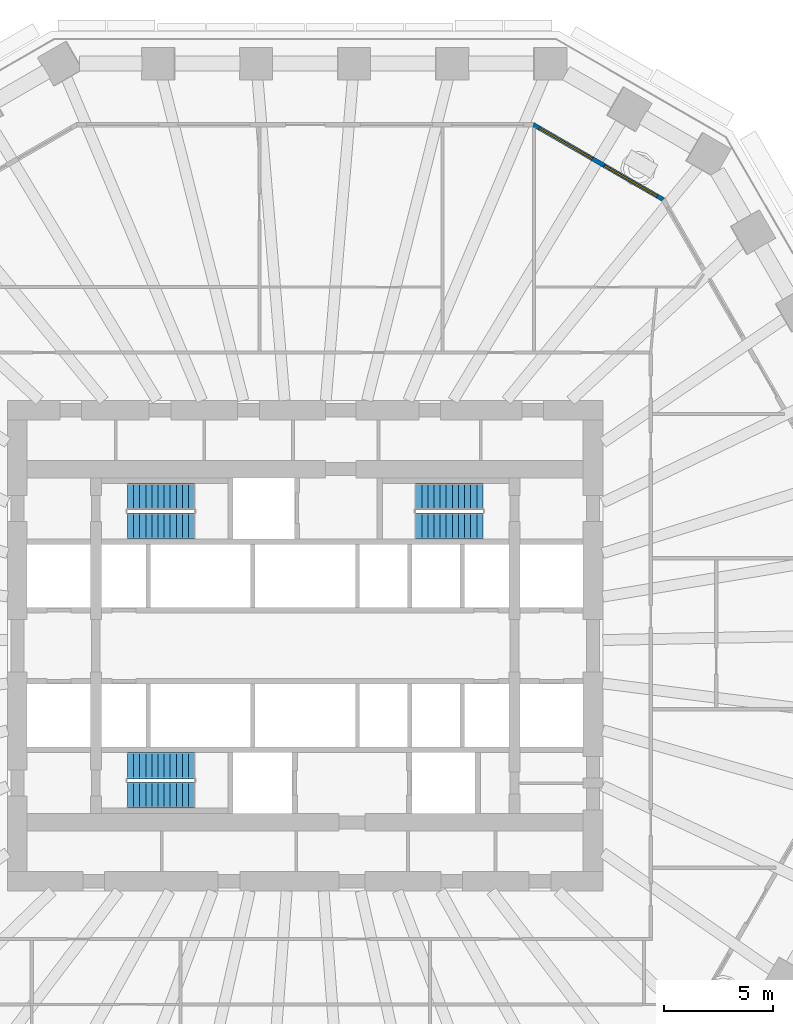
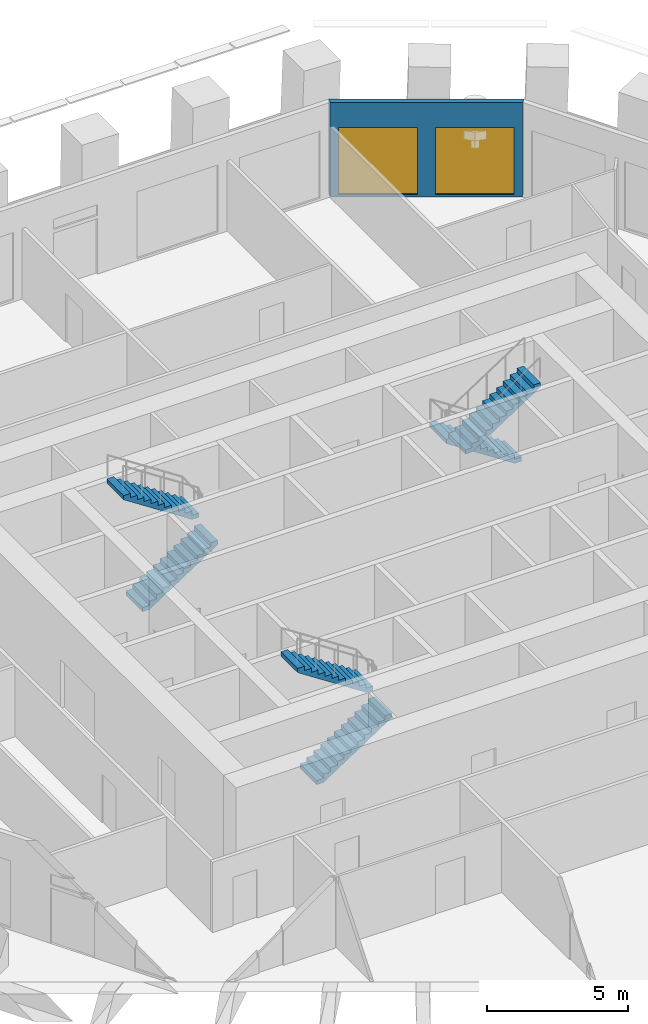
# One storey, part 9 of 13: 6 stair flights, 2 windows, 1 wall, 2 openings, 3 elements without a shape of their own.
"""IFC4 building model written with IfcOpenShell, lengths in metres."""

import ifcopenshell
import ifcopenshell.guid

model = None  # the IFC model being written
_history = None  # IfcOwnerHistory: only IFC2X3 demands one
_inside = {}  # id of a spatial element -> (the spatial element, [elements in it])
_under = {}  # id of a project, library or spatial element -> (it, [spatial elements below it])
_declared = {}  # id of a project -> (the project, [libraries it declares])
_typed = {}  # id of a type object -> (the type object, [elements of that type])
_made_of = {}  # id of a material, layer set ... -> (it, [elements and type objects made of it])


def new_model(schema):
    """Start an empty IFC model of exactly this schema.

    Asked for "IFC4X3", IfcOpenShell would pick the latest addendum, in which some entities
    have other attributes; the version numbers below select the first issue.
    IFC2X3 requires an IfcOwnerHistory on every rooted entity: one is made here for all.
    """
    global model, _history
    if schema == "IFC4X3":
        model = ifcopenshell.file(schema_version=(4, 3, 0, 0))
    else:
        model = ifcopenshell.file(schema=schema)
    _inside.clear()
    _under.clear()
    _declared.clear()
    _typed.clear()
    _made_of.clear()
    _history = None
    if model.schema == "IFC2X3":
        org = make("IfcOrganization", Name="unknown")
        user = make(
            "IfcPersonAndOrganization",
            ThePerson=make("IfcPerson", FamilyName="unknown"),
            TheOrganization=org,
        )
        app = make(
            "IfcApplication",
            ApplicationDeveloper=org,
            Version="unknown",
            ApplicationFullName="unknown",
            ApplicationIdentifier="unknown",
        )
        _history = make(
            "IfcOwnerHistory",
            OwningUser=user,
            OwningApplication=app,
            ChangeAction="ADDED",
            CreationDate=0,
        )
    return model


def make(cls, **values):
    """One entity of the class cls with the attributes given. An attribute that is None is left unset."""
    return model.create_entity(
        cls, **{name: value for name, value in values.items() if value is not None}
    )


def rooted(cls, **values):
    """An entity with a GlobalId (a new one), such as an element, a storey or a relation."""
    return make(cls, GlobalId=ifcopenshell.guid.new(), OwnerHistory=_history, **values)


def si_unit(unit_type, name, prefix=None):
    """IfcSIUnit, for example si_unit("LENGTHUNIT", "METRE", prefix="MILLI")."""
    return make("IfcSIUnit", UnitType=unit_type, Prefix=prefix, Name=name)


def assignment(units):
    """IfcUnitAssignment: the units of a project."""
    return None if units is None else make("IfcUnitAssignment", Units=units)


def point(xyz):
    """IfcCartesianPoint."""
    return None if xyz is None else make("IfcCartesianPoint", Coordinates=xyz)


def direction(xyz):
    """IfcDirection."""
    return None if xyz is None else make("IfcDirection", DirectionRatios=xyz)


def frame(location, z_axis=None, x_axis=None):
    """IfcAxis2Placement3D, a coordinate frame: its origin and axes. An axis left out is left unset."""
    return make(
        "IfcAxis2Placement3D",
        Location=point(location),
        Axis=direction(z_axis),
        RefDirection=direction(x_axis),
    )


def frame_2d(location, x_axis=None):
    """IfcAxis2Placement2D, a coordinate frame in the plane: its origin and x axis."""
    return make(
        "IfcAxis2Placement2D", Location=point(location), RefDirection=direction(x_axis)
    )


def origin():
    """The frame at (0, 0, 0) with its axes left unset."""
    return frame((0.0, 0.0, 0.0))


def place(relative_to, where):
    """IfcLocalPlacement: puts the frame where relative to a parent placement (None: the world)."""
    return make(
        "IfcLocalPlacement", PlacementRelTo=relative_to, RelativePlacement=where
    )


def context(
    kind, dimensions, precision=None, world=None, true_north=None, identifier=None
):
    """IfcGeometricRepresentationContext, for example the 3D "Model" context."""
    return make(
        "IfcGeometricRepresentationContext",
        ContextIdentifier=identifier,
        ContextType=kind,
        CoordinateSpaceDimension=dimensions,
        Precision=precision,
        WorldCoordinateSystem=world,
        TrueNorth=true_north,
    )


def subcontext(parent, identifier, kind, view, scale=None):
    """IfcGeometricRepresentationSubContext, for example "Body" below "Model"."""
    return make(
        "IfcGeometricRepresentationSubContext",
        ContextIdentifier=identifier,
        ContextType=kind,
        ParentContext=parent,
        TargetScale=scale,
        TargetView=view,
    )


def project(units=None, contexts=None):
    """IfcProject with its units and contexts."""
    return rooted(
        "IfcProject",
        Name="project",
        RepresentationContexts=contexts,
        UnitsInContext=assignment(units),
    )


def spatial(cls, under=None, at=None, **own):
    """A site, building, storey or space (cls), placed at a placement, below another one or the project."""
    s = rooted(cls, ObjectPlacement=at, **own)
    if under is not None:
        _under.setdefault(under.id(), (under, []))[1].append(s)
    return s


def polyline(points):
    """IfcPolyline through the points."""
    return make("IfcPolyline", Points=[point(p) for p in points])


def profile(cls, at=None, kind="AREA", **sizes):
    """A parametric profile (cls). Its sizes go by their IFC names, for example OverallWidth=200.0."""
    return make(cls, ProfileType=kind, Position=at, **sizes)


def rectangle(**sizes):
    """IfcRectangleProfileDef."""
    return profile("IfcRectangleProfileDef", **sizes)


def outline(outer, holes=None, kind="AREA"):
    """IfcArbitraryClosedProfileDef: a profile drawn as a closed curve; with holes, ...WithVoids."""
    if holes is None:
        return make("IfcArbitraryClosedProfileDef", ProfileType=kind, OuterCurve=outer)
    return make(
        "IfcArbitraryProfileDefWithVoids",
        ProfileType=kind,
        OuterCurve=outer,
        InnerCurves=holes,
    )


def extrude(swept, where, along, depth):
    """IfcExtrudedAreaSolid: the profile swept, set in the frame where, extruded along a direction by depth."""
    return make(
        "IfcExtrudedAreaSolid",
        SweptArea=swept,
        Position=where,
        ExtrudedDirection=direction(along),
        Depth=depth,
    )


def shape(context_of_items, identifier, shape_type, items):
    """IfcShapeRepresentation: the items that make up one representation, for example the "Body"."""
    return make(
        "IfcShapeRepresentation",
        ContextOfItems=context_of_items,
        RepresentationIdentifier=identifier,
        RepresentationType=shape_type,
        Items=items,
    )


def material(Name=None, Category=None):
    """IfcMaterial."""
    return make("IfcMaterial", Name=Name, Category=Category)


def layer(
    of_material, thickness, ventilated=None, Name=None, Category=None, Priority=None
):
    """IfcMaterialLayer: one layer of a wall or slab, of a material (None: an air gap)."""
    return make(
        "IfcMaterialLayer",
        Material=of_material,
        LayerThickness=thickness,
        IsVentilated=ventilated,
        Name=Name,
        Category=Category,
        Priority=Priority,
    )


def layer_set(layers, Name=None):
    """IfcMaterialLayerSet."""
    return make("IfcMaterialLayerSet", MaterialLayers=layers, LayerSetName=Name)


def made_of(thing, what):
    """Note that an element or type object is made of a material, layer set ...; save() writes the relation."""
    if what is not None:
        _made_of.setdefault(what.id(), (what, []))[1].append(thing)
    return thing


def type_object(cls, material=None, **own):
    """A type object (cls), such as IfcWallType, which elements share."""
    return made_of(rooted(cls, **own), material)


def element(
    cls,
    number,
    at=None,
    inside=None,
    cuts=None,
    type_object=None,
    material=None,
    context=None,
    identifier="Body",
    shape_type=None,
    held_by="IfcProductDefinitionShape",
    body=None,
    shapes=None,
    **own,
):
    """One element of the class cls, such as IfcWall. Its Tag is "e" and its number.

    at: its placement. inside: the storey or other place that contains it. cuts: it is an
    opening in that element (IfcRelVoidsElement). A single representation is given by context,
    identifier, shape_type and body (its items); several are given by shapes. held_by: the class
    of the entity that holds the representations. save() writes the other relations.
    """
    e = rooted(cls, Tag="e%d" % number, ObjectPlacement=at, **own)
    if body is not None:
        shapes = [shape(context, identifier, shape_type, body)]
    if shapes is not None:
        e.Representation = make(held_by, Representations=shapes)
    if inside is not None:
        _inside.setdefault(inside.id(), (inside, []))[1].append(e)
    if cuts is not None:
        rooted(
            "IfcRelVoidsElement", RelatingBuildingElement=cuts, RelatedOpeningElement=e
        )
    if type_object is not None:
        _typed.setdefault(type_object.id(), (type_object, []))[1].append(e)
    return made_of(e, material)


def fill(opening, filler):
    """IfcRelFillsElement: the door or window that sits in an opening."""
    return rooted(
        "IfcRelFillsElement",
        RelatingOpeningElement=opening,
        RelatedBuildingElement=filler,
    )


def aggregate(whole, parts):
    """IfcRelAggregates: a whole, such as a stair, and the parts it consists of."""
    return rooted("IfcRelAggregates", RelatingObject=whole, RelatedObjects=parts)


def save(model, path):
    """Write the relations noted so far, then the file.

    IfcRelAggregates (storeys below a building ...), IfcRelContainedInSpatialStructure (elements
    in a storey), IfcRelDefinesByType, IfcRelAssociatesMaterial and IfcRelDeclares: one each for
    every whole, place, type object, material and project.
    """
    for whole, parts in _under.values():
        aggregate(whole, parts)
    for where, things in _inside.values():
        rooted(
            "IfcRelContainedInSpatialStructure",
            RelatedElements=things,
            RelatingStructure=where,
        )
    for kind, things in _typed.values():
        rooted("IfcRelDefinesByType", RelatedObjects=things, RelatingType=kind)
    for what, things in _made_of.values():
        rooted("IfcRelAssociatesMaterial", RelatedObjects=things, RelatingMaterial=what)
    for by, libraries in _declared.values():
        rooted("IfcRelDeclares", RelatingContext=by, RelatedDefinitions=libraries)
    model.write(path)


model = new_model("IFC4")

# Units and contexts
model_context = context("Model", 3, precision=1e-05, world=origin(), true_north=direction((0.0, 1.0)))
body_context = subcontext(model_context, "Body", "Model", "MODEL_VIEW")
ifc_project = project(units=[si_unit("LENGTHUNIT", "METRE"), si_unit("AREAUNIT", "SQUARE_METRE"), si_unit("VOLUMEUNIT", "CUBIC_METRE"), si_unit("PLANEANGLEUNIT", "RADIAN"), si_unit("MASSUNIT", "GRAM", prefix="KILO")], contexts=[model_context])

# Site, building, storey
site_placement = place(None, origin())
site = spatial("IfcSite", under=ifc_project, at=site_placement, CompositionType="ELEMENT")
building_placement = place(site_placement, origin())
building = spatial("IfcBuilding", under=site, at=building_placement, Name="Frailejon Research Tower", CompositionType="ELEMENT")
storey_placement = place(building_placement, frame((0.0, 0.0, 32.199951171875)))
storey = spatial("IfcBuildingStorey", under=building, at=storey_placement, Name="L07", CompositionType="ELEMENT", Elevation=32.199951171875)

# Wall, openings, windows
ifc_material_1 = material(Name="Concrete C40/50 precast window wall panel", Category="concrete")
ifc_layer_1 = layer(ifc_material_1, 0.199951171875)
ifc_layer_set_1 = layer_set([ifc_layer_1], Name="Window wall 200")
wall_type = type_object("IfcWallType", Name="Window wall 200", PredefinedType="SOLIDWALL", material=ifc_layer_set_1)
wall_placement = place(storey_placement, frame((16.421875, 20.462646484375, 0.0), z_axis=(0.0, 0.0, 1.0), x_axis=(-0.866029458321, 0.49999297727, 0.0)))
wall = element("IfcWall", 1, at=wall_placement, inside=storey, type_object=wall_type, Name="Exterior wall L07", PredefinedType="SOLIDWALL", context=body_context, shape_type="SweptSolid", body=[
    extrude(outline(polyline([(-0.02685546875, -0.10009765625), (1.1279296875, -0.10009765625), (2.282470703125, -0.10009765625), (3.437255859375, -0.10009765625), (4.592041015625, -0.10009765625), (5.74658203125, -0.10009765625), (6.9013671875, -0.10009765625), (6.84765625, 0.10009765625), (5.7109375, 0.10009765625), (4.573974609375, 0.10009765625), (3.437255859375, 0.10009765625), (2.300537109375, 0.10009765625), (1.16357421875, 0.10009765625), (0.02685546875, 0.10009765625), (-0.02685546875, -0.10009765625)])), origin(), (0.0, 0.0, 1.0), 4.10009765625),
])
opening_1_placement = place(wall_placement, frame((0.318603515625, 0.0, 0.10009765625)))
opening_1 = element("IfcOpeningElement", 2, at=opening_1_placement, cuts=wall, Name="Opening W3", PredefinedType="OPENING", context=body_context, shape_type="SweptSolid", body=[
    extrude(rectangle(XDim=2.800048828125, YDim=2.89990234375, at=frame_2d((1.39990234375, 1.449951171875))), frame((0.0, 0.10986328125, 0.0), z_axis=(0.0, -1.0, 0.0), x_axis=(1.0, 0.0, 0.0)), (0.0, 0.0, 1.0), 0.219970703125),
])
opening_2_placement = place(wall_placement, frame((3.756103515625, 0.0, 0.10009765625)))
opening_2 = element("IfcOpeningElement", 3, at=opening_2_placement, cuts=wall, Name="Opening W3", PredefinedType="OPENING", context=body_context, shape_type="SweptSolid", body=[
    extrude(rectangle(XDim=2.800048828125, YDim=2.89990234375, at=frame_2d((1.39990234375, 1.449951171875))), frame((0.0, 0.10986328125, 0.0), z_axis=(0.0, -1.0, 0.0), x_axis=(1.0, 0.0, 0.0)), (0.0, 0.0, 1.0), 0.219970703125),
])
ifc_material_2 = material(Name="Aluminium framed double glazing", Category="aluminium")
window_type = type_object("IfcWindowType", Name="Window 2800x2900", PartitioningType="SINGLE_PANEL", PredefinedType="WINDOW", material=ifc_material_2)
window_1_placement = place(opening_1_placement, origin())
window_1 = element("IfcWindow", 4, at=window_1_placement, inside=storey, type_object=window_type, Name="Window L07", OverallHeight=2.89990234375, OverallWidth=2.800048828125, PartitioningType="SINGLE_PANEL", PredefinedType="WINDOW", context=body_context, shape_type="SweptSolid", body=[
    extrude(rectangle(XDim=2.800048828125, YDim=2.89990234375, at=frame_2d((1.39990234375, 1.449951171875))), frame((0.0, 0.030029296875, 0.0), z_axis=(0.0, -1.0, 0.0), x_axis=(1.0, 0.0, 0.0)), (0.0, 0.0, 1.0), 0.06005859375),
])
fill(opening_1, window_1)
window_2_placement = place(opening_2_placement, origin())
window_2 = element("IfcWindow", 5, at=window_2_placement, inside=storey, type_object=window_type, Name="Window L07", OverallHeight=2.89990234375, OverallWidth=2.800048828125, PartitioningType="SINGLE_PANEL", PredefinedType="WINDOW", context=body_context, shape_type="SweptSolid", body=[
    extrude(rectangle(XDim=2.800048828125, YDim=2.89990234375, at=frame_2d((1.39990234375, 1.449951171875))), frame((0.0, 0.030029296875, 0.0), z_axis=(0.0, -1.0, 0.0), x_axis=(1.0, 0.0, 0.0)), (0.0, 0.0, 1.0), 0.06005859375),
])
fill(opening_2, window_2)

# Stair, stair flights
ifc_material_3 = material(Name="Concrete C50/60", Category="concrete")
stair_type = type_object("IfcStairType", Name="Exit stair 24 risers", PredefinedType="HALF_TURN_STAIR", material=ifc_material_3)
stair_1_placement = place(storey_placement, origin())
stair_1 = element("IfcStair", 6, at=stair_1_placement, inside=storey, type_object=stair_type, Name="L07 Exit stair ST1", PredefinedType="HALF_TURN_STAIR")
ifc_material_4 = material(Name="Concrete C50/60", Category="concrete")
ifc_layer_2 = layer(ifc_material_4, 0.14990234375)
ifc_layer_set_2 = layer_set([ifc_layer_2], Name="Stair flight 12 risers")
stair_flight_type = type_object("IfcStairFlightType", Name="Stair flight 12 risers", PredefinedType="STRAIGHT", material=ifc_layer_set_2)
stair_flight_1_placement = place(storey_placement, frame((-8.14990234375, 5.5, 0.0), z_axis=(0.0, 0.0, 1.0), x_axis=(1.0, 0.0, 0.0)))
stair_flight_1 = element("IfcStairFlight", 7, at=stair_flight_1_placement, type_object=stair_flight_type, Name="ST1 flight 1", NumberOfRisers=12, NumberOfTreads=11, PredefinedType="STRAIGHT", RiserHeight=0.183333333, TreadLength=0.28, context=body_context, shape_type="SweptSolid", body=[
    extrude(outline(polyline([(0.0, 0.0), (0.0, 0.183349609375), (0.280029296875, 0.183349609375), (0.280029296875, 0.36669921875), (0.56005859375, 0.36669921875), (0.56005859375, 0.550048828125), (0.840087890625, 0.550048828125), (0.840087890625, 0.7333984375), (1.1201171875, 0.7333984375), (1.1201171875, 0.916748046875), (1.39990234375, 0.916748046875), (1.39990234375, 1.10009765625), (1.679931640625, 1.10009765625), (1.679931640625, 1.283447265625), (1.9599609375, 1.283447265625), (1.9599609375, 1.466552734375), (2.239990234375, 1.466552734375), (2.239990234375, 1.64990234375), (2.52001953125, 1.64990234375), (2.52001953125, 1.833251953125), (2.800048828125, 1.833251953125), (2.800048828125, 2.0166015625), (3.080078125, 2.0166015625), (3.080078125, 2.199951171875), (3.080078125, 1.83740234375), (0.273681640625, 0.0), (0.0, 0.0)])), frame((0.0, 0.60009765625, 0.0), z_axis=(0.0, -1.0, 0.0), x_axis=(1.0, 0.0, 0.0)), (0.0, 0.0, 1.0), 1.199951171875),
])
stair_flight_2_placement = place(storey_placement, frame((-5.070068359375, 6.85009765625, 2.199951171875), z_axis=(0.0, 0.0, 1.0), x_axis=(-1.0, 0.0, 0.0)))
stair_flight_2 = element("IfcStairFlight", 8, at=stair_flight_2_placement, type_object=stair_flight_type, Name="ST1 flight 2", NumberOfRisers=12, NumberOfTreads=11, PredefinedType="STRAIGHT", RiserHeight=0.183333333, TreadLength=0.28, context=body_context, shape_type="SweptSolid", body=[
    extrude(outline(polyline([(0.0, 0.0), (0.0, 0.183349609375), (0.280029296875, 0.183349609375), (0.280029296875, 0.36669921875), (0.56005859375, 0.36669921875), (0.56005859375, 0.550048828125), (0.840087890625, 0.550048828125), (0.840087890625, 0.7333984375), (1.1201171875, 0.7333984375), (1.1201171875, 0.916748046875), (1.39990234375, 0.916748046875), (1.39990234375, 1.10009765625), (1.679931640625, 1.10009765625), (1.679931640625, 1.283447265625), (1.9599609375, 1.283447265625), (1.9599609375, 1.466552734375), (2.239990234375, 1.466552734375), (2.239990234375, 1.64990234375), (2.52001953125, 1.64990234375), (2.52001953125, 1.833251953125), (2.800048828125, 1.833251953125), (2.800048828125, 2.0166015625), (3.080078125, 2.0166015625), (3.080078125, 2.199951171875), (3.080078125, 1.83740234375), (0.273681640625, 0.0), (0.0, 0.0)])), frame((0.0, 0.60009765625, 0.0), z_axis=(0.0, -1.0, 0.0), x_axis=(1.0, 0.0, 0.0)), (0.0, 0.0, 1.0), 1.199951171875),
])
aggregate(stair_1, [stair_flight_1, stair_flight_2])

stair_2_placement = place(storey_placement, origin())
stair_2 = element("IfcStair", 9, at=stair_2_placement, inside=storey, type_object=stair_type, Name="L07 Exit stair ST2", PredefinedType="HALF_TURN_STAIR")
stair_flight_3_placement = place(storey_placement, frame((-8.14990234375, -6.85009765625, 0.0), z_axis=(0.0, 0.0, 1.0), x_axis=(1.0, 0.0, 0.0)))
stair_flight_3 = element("IfcStairFlight", 10, at=stair_flight_3_placement, type_object=stair_flight_type, Name="ST2 flight 1", NumberOfRisers=12, NumberOfTreads=11, PredefinedType="STRAIGHT", RiserHeight=0.183333333, TreadLength=0.28, context=body_context, shape_type="SweptSolid", body=[
    extrude(outline(polyline([(0.0, 0.0), (0.0, 0.183349609375), (0.280029296875, 0.183349609375), (0.280029296875, 0.36669921875), (0.56005859375, 0.36669921875), (0.56005859375, 0.550048828125), (0.840087890625, 0.550048828125), (0.840087890625, 0.7333984375), (1.1201171875, 0.7333984375), (1.1201171875, 0.916748046875), (1.39990234375, 0.916748046875), (1.39990234375, 1.10009765625), (1.679931640625, 1.10009765625), (1.679931640625, 1.283447265625), (1.9599609375, 1.283447265625), (1.9599609375, 1.466552734375), (2.239990234375, 1.466552734375), (2.239990234375, 1.64990234375), (2.52001953125, 1.64990234375), (2.52001953125, 1.833251953125), (2.800048828125, 1.833251953125), (2.800048828125, 2.0166015625), (3.080078125, 2.0166015625), (3.080078125, 2.199951171875), (3.080078125, 1.83740234375), (0.273681640625, 0.0), (0.0, 0.0)])), frame((0.0, 0.60009765625, 0.0), z_axis=(0.0, -1.0, 0.0), x_axis=(1.0, 0.0, 0.0)), (0.0, 0.0, 1.0), 1.199951171875),
])
stair_flight_4_placement = place(storey_placement, frame((-5.070068359375, -5.5, 2.199951171875), z_axis=(0.0, 0.0, 1.0), x_axis=(-1.0, 0.0, 0.0)))
stair_flight_4 = element("IfcStairFlight", 11, at=stair_flight_4_placement, type_object=stair_flight_type, Name="ST2 flight 2", NumberOfRisers=12, NumberOfTreads=11, PredefinedType="STRAIGHT", RiserHeight=0.183333333, TreadLength=0.28, context=body_context, shape_type="SweptSolid", body=[
    extrude(outline(polyline([(0.0, 0.0), (0.0, 0.183349609375), (0.280029296875, 0.183349609375), (0.280029296875, 0.36669921875), (0.56005859375, 0.36669921875), (0.56005859375, 0.550048828125), (0.840087890625, 0.550048828125), (0.840087890625, 0.7333984375), (1.1201171875, 0.7333984375), (1.1201171875, 0.916748046875), (1.39990234375, 0.916748046875), (1.39990234375, 1.10009765625), (1.679931640625, 1.10009765625), (1.679931640625, 1.283447265625), (1.9599609375, 1.283447265625), (1.9599609375, 1.466552734375), (2.239990234375, 1.466552734375), (2.239990234375, 1.64990234375), (2.52001953125, 1.64990234375), (2.52001953125, 1.833251953125), (2.800048828125, 1.833251953125), (2.800048828125, 2.0166015625), (3.080078125, 2.0166015625), (3.080078125, 2.199951171875), (3.080078125, 1.83740234375), (0.273681640625, 0.0), (0.0, 0.0)])), frame((0.0, 0.60009765625, 0.0), z_axis=(0.0, -1.0, 0.0), x_axis=(1.0, 0.0, 0.0)), (0.0, 0.0, 1.0), 1.199951171875),
])
aggregate(stair_2, [stair_flight_3, stair_flight_4])

stair_3_placement = place(storey_placement, origin())
stair_3 = element("IfcStair", 12, at=stair_3_placement, inside=storey, type_object=stair_type, Name="L07 Exit stair ST3", PredefinedType="HALF_TURN_STAIR")
stair_flight_5_placement = place(storey_placement, frame((8.14990234375, 6.85009765625, 0.0), z_axis=(0.0, 0.0, 1.0), x_axis=(-1.0, 0.0, 0.0)))
stair_flight_5 = element("IfcStairFlight", 13, at=stair_flight_5_placement, type_object=stair_flight_type, Name="ST3 flight 1", NumberOfRisers=12, NumberOfTreads=11, PredefinedType="STRAIGHT", RiserHeight=0.183333333, TreadLength=0.28, context=body_context, shape_type="SweptSolid", body=[
    extrude(outline(polyline([(0.0, 0.0), (0.0, 0.183349609375), (0.280029296875, 0.183349609375), (0.280029296875, 0.36669921875), (0.56005859375, 0.36669921875), (0.56005859375, 0.550048828125), (0.840087890625, 0.550048828125), (0.840087890625, 0.7333984375), (1.1201171875, 0.7333984375), (1.1201171875, 0.916748046875), (1.39990234375, 0.916748046875), (1.39990234375, 1.10009765625), (1.679931640625, 1.10009765625), (1.679931640625, 1.283447265625), (1.9599609375, 1.283447265625), (1.9599609375, 1.466552734375), (2.239990234375, 1.466552734375), (2.239990234375, 1.64990234375), (2.52001953125, 1.64990234375), (2.52001953125, 1.833251953125), (2.800048828125, 1.833251953125), (2.800048828125, 2.0166015625), (3.080078125, 2.0166015625), (3.080078125, 2.199951171875), (3.080078125, 1.83740234375), (0.273681640625, 0.0), (0.0, 0.0)])), frame((0.0, 0.60009765625, 0.0), z_axis=(0.0, -1.0, 0.0), x_axis=(1.0, 0.0, 0.0)), (0.0, 0.0, 1.0), 1.199951171875),
])
stair_flight_6_placement = place(storey_placement, frame((5.070068359375, 5.5, 2.199951171875), z_axis=(0.0, 0.0, 1.0), x_axis=(1.0, 0.0, 0.0)))
stair_flight_6 = element("IfcStairFlight", 14, at=stair_flight_6_placement, type_object=stair_flight_type, Name="ST3 flight 2", NumberOfRisers=12, NumberOfTreads=11, PredefinedType="STRAIGHT", RiserHeight=0.183333333, TreadLength=0.28, context=body_context, shape_type="SweptSolid", body=[
    extrude(outline(polyline([(0.0, 0.0), (0.0, 0.183349609375), (0.280029296875, 0.183349609375), (0.280029296875, 0.36669921875), (0.56005859375, 0.36669921875), (0.56005859375, 0.550048828125), (0.840087890625, 0.550048828125), (0.840087890625, 0.7333984375), (1.1201171875, 0.7333984375), (1.1201171875, 0.916748046875), (1.39990234375, 0.916748046875), (1.39990234375, 1.10009765625), (1.679931640625, 1.10009765625), (1.679931640625, 1.283447265625), (1.9599609375, 1.283447265625), (1.9599609375, 1.466552734375), (2.239990234375, 1.466552734375), (2.239990234375, 1.64990234375), (2.52001953125, 1.64990234375), (2.52001953125, 1.833251953125), (2.800048828125, 1.833251953125), (2.800048828125, 2.0166015625), (3.080078125, 2.0166015625), (3.080078125, 2.199951171875), (3.080078125, 1.83740234375), (0.273681640625, 0.0), (0.0, 0.0)])), frame((0.0, 0.60009765625, 0.0), z_axis=(0.0, -1.0, 0.0), x_axis=(1.0, 0.0, 0.0)), (0.0, 0.0, 1.0), 1.199951171875),
])
aggregate(stair_3, [stair_flight_5, stair_flight_6])

save(model, "model.ifc")
